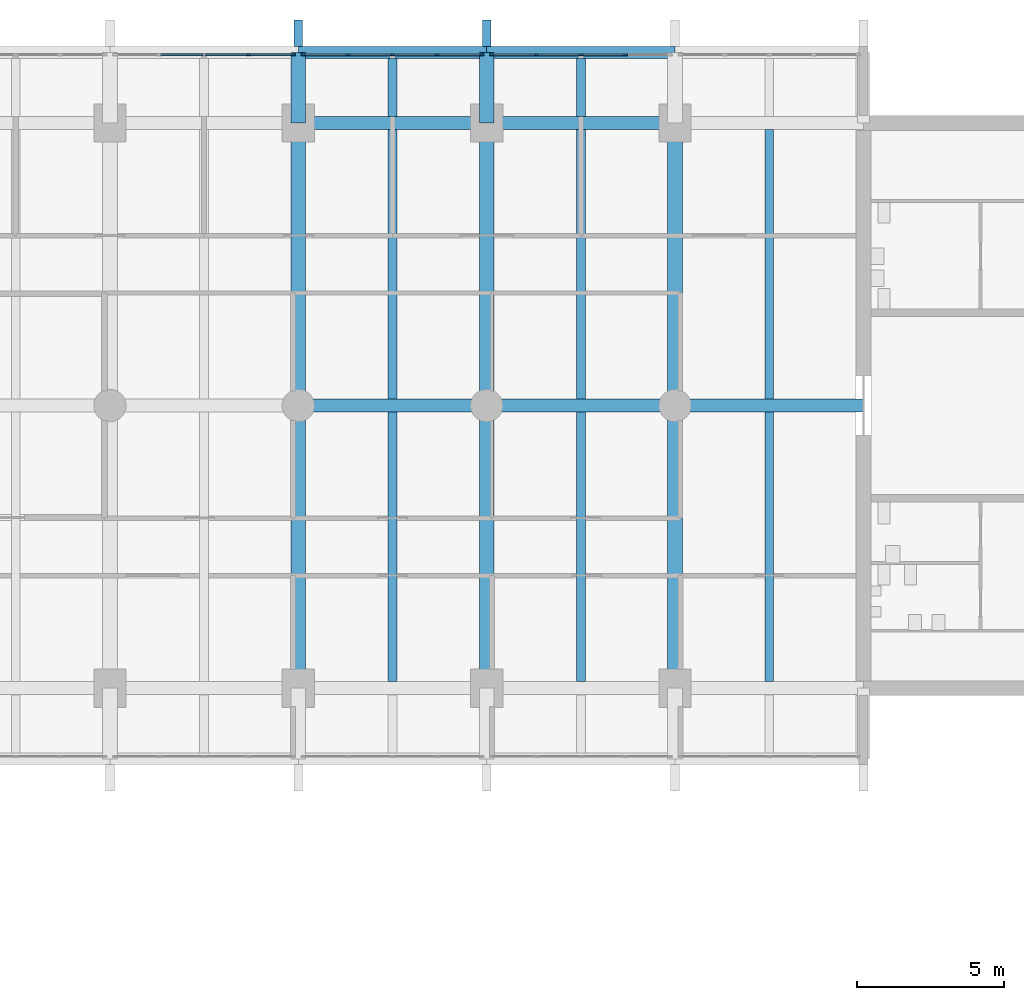
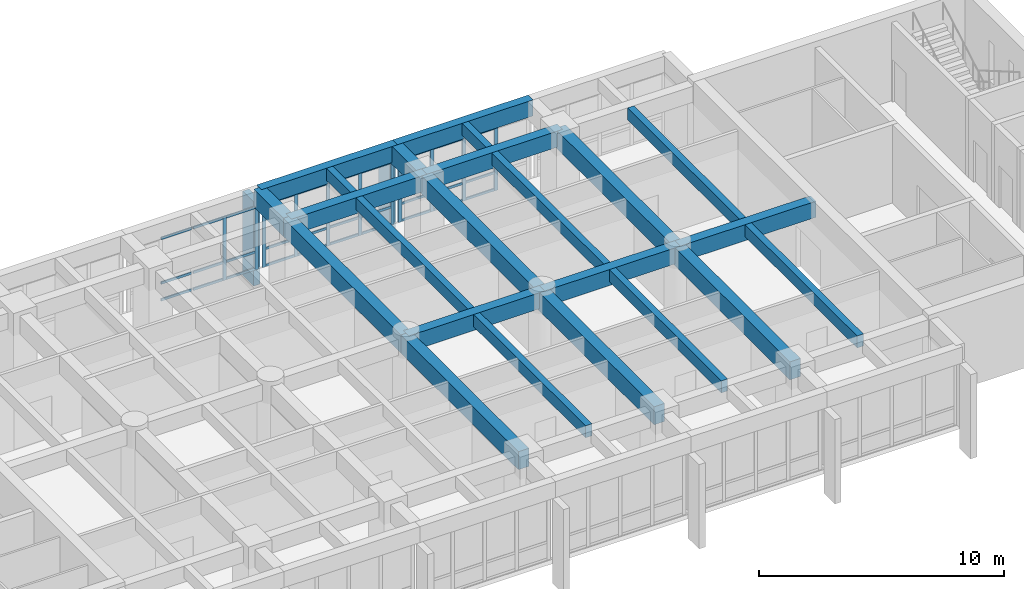
# One storey, part 5 of 18: 43 members, 23 beams, 3 elements without a shape of their own.
"""IFC4 building model written with IfcOpenShell, lengths in metres."""

import ifcopenshell
import ifcopenshell.guid

model = None  # the IFC model being written
_history = None  # IfcOwnerHistory: only IFC2X3 demands one
_inside = {}  # id of a spatial element -> (the spatial element, [elements in it])
_under = {}  # id of a project, library or spatial element -> (it, [spatial elements below it])
_declared = {}  # id of a project -> (the project, [libraries it declares])
_typed = {}  # id of a type object -> (the type object, [elements of that type])
_made_of = {}  # id of a material, layer set ... -> (it, [elements and type objects made of it])


def new_model(schema):
    """Start an empty IFC model of exactly this schema.

    Asked for "IFC4X3", IfcOpenShell would pick the latest addendum, in which some entities
    have other attributes; the version numbers below select the first issue.
    IFC2X3 requires an IfcOwnerHistory on every rooted entity: one is made here for all.
    """
    global model, _history
    if schema == "IFC4X3":
        model = ifcopenshell.file(schema_version=(4, 3, 0, 0))
    else:
        model = ifcopenshell.file(schema=schema)
    _inside.clear()
    _under.clear()
    _declared.clear()
    _typed.clear()
    _made_of.clear()
    _history = None
    if model.schema == "IFC2X3":
        org = make("IfcOrganization", Name="unknown")
        user = make(
            "IfcPersonAndOrganization",
            ThePerson=make("IfcPerson", FamilyName="unknown"),
            TheOrganization=org,
        )
        app = make(
            "IfcApplication",
            ApplicationDeveloper=org,
            Version="unknown",
            ApplicationFullName="unknown",
            ApplicationIdentifier="unknown",
        )
        _history = make(
            "IfcOwnerHistory",
            OwningUser=user,
            OwningApplication=app,
            ChangeAction="ADDED",
            CreationDate=0,
        )
    return model


def make(cls, **values):
    """One entity of the class cls with the attributes given. An attribute that is None is left unset."""
    return model.create_entity(
        cls, **{name: value for name, value in values.items() if value is not None}
    )


def rooted(cls, **values):
    """An entity with a GlobalId (a new one), such as an element, a storey or a relation."""
    return make(cls, GlobalId=ifcopenshell.guid.new(), OwnerHistory=_history, **values)


def si_unit(unit_type, name, prefix=None):
    """IfcSIUnit, for example si_unit("LENGTHUNIT", "METRE", prefix="MILLI")."""
    return make("IfcSIUnit", UnitType=unit_type, Prefix=prefix, Name=name)


def assignment(units):
    """IfcUnitAssignment: the units of a project."""
    return None if units is None else make("IfcUnitAssignment", Units=units)


def point(xyz):
    """IfcCartesianPoint."""
    return None if xyz is None else make("IfcCartesianPoint", Coordinates=xyz)


def direction(xyz):
    """IfcDirection."""
    return None if xyz is None else make("IfcDirection", DirectionRatios=xyz)


def frame(location, z_axis=None, x_axis=None):
    """IfcAxis2Placement3D, a coordinate frame: its origin and axes. An axis left out is left unset."""
    return make(
        "IfcAxis2Placement3D",
        Location=point(location),
        Axis=direction(z_axis),
        RefDirection=direction(x_axis),
    )


def frame_2d(location, x_axis=None):
    """IfcAxis2Placement2D, a coordinate frame in the plane: its origin and x axis."""
    return make(
        "IfcAxis2Placement2D", Location=point(location), RefDirection=direction(x_axis)
    )


def origin():
    """The frame at (0, 0, 0) with its axes left unset."""
    return frame((0.0, 0.0, 0.0))


def origin_2d():
    """The frame at (0, 0) in the plane with its x axis left unset."""
    return frame_2d((0.0, 0.0))


def place(relative_to, where):
    """IfcLocalPlacement: puts the frame where relative to a parent placement (None: the world)."""
    return make(
        "IfcLocalPlacement", PlacementRelTo=relative_to, RelativePlacement=where
    )


def context(
    kind, dimensions, precision=None, world=None, true_north=None, identifier=None
):
    """IfcGeometricRepresentationContext, for example the 3D "Model" context."""
    return make(
        "IfcGeometricRepresentationContext",
        ContextIdentifier=identifier,
        ContextType=kind,
        CoordinateSpaceDimension=dimensions,
        Precision=precision,
        WorldCoordinateSystem=world,
        TrueNorth=true_north,
    )


def subcontext(parent, identifier, kind, view, scale=None):
    """IfcGeometricRepresentationSubContext, for example "Body" below "Model"."""
    return make(
        "IfcGeometricRepresentationSubContext",
        ContextIdentifier=identifier,
        ContextType=kind,
        ParentContext=parent,
        TargetScale=scale,
        TargetView=view,
    )


def project(units=None, contexts=None):
    """IfcProject with its units and contexts."""
    return rooted(
        "IfcProject",
        Name="project",
        RepresentationContexts=contexts,
        UnitsInContext=assignment(units),
    )


def spatial(cls, under=None, at=None, **own):
    """A site, building, storey or space (cls), placed at a placement, below another one or the project."""
    s = rooted(cls, ObjectPlacement=at, **own)
    if under is not None:
        _under.setdefault(under.id(), (under, []))[1].append(s)
    return s


def profile(cls, at=None, kind="AREA", **sizes):
    """A parametric profile (cls). Its sizes go by their IFC names, for example OverallWidth=200.0."""
    return make(cls, ProfileType=kind, Position=at, **sizes)


def rectangle(**sizes):
    """IfcRectangleProfileDef."""
    return profile("IfcRectangleProfileDef", **sizes)


def extrude(swept, where, along, depth):
    """IfcExtrudedAreaSolid: the profile swept, set in the frame where, extruded along a direction by depth."""
    return make(
        "IfcExtrudedAreaSolid",
        SweptArea=swept,
        Position=where,
        ExtrudedDirection=direction(along),
        Depth=depth,
    )


def shape(context_of_items, identifier, shape_type, items):
    """IfcShapeRepresentation: the items that make up one representation, for example the "Body"."""
    return make(
        "IfcShapeRepresentation",
        ContextOfItems=context_of_items,
        RepresentationIdentifier=identifier,
        RepresentationType=shape_type,
        Items=items,
    )


def material(Name=None, Category=None):
    """IfcMaterial."""
    return make("IfcMaterial", Name=Name, Category=Category)


def layer(
    of_material, thickness, ventilated=None, Name=None, Category=None, Priority=None
):
    """IfcMaterialLayer: one layer of a wall or slab, of a material (None: an air gap)."""
    return make(
        "IfcMaterialLayer",
        Material=of_material,
        LayerThickness=thickness,
        IsVentilated=ventilated,
        Name=Name,
        Category=Category,
        Priority=Priority,
    )


def layer_set(layers, Name=None):
    """IfcMaterialLayerSet."""
    return make("IfcMaterialLayerSet", MaterialLayers=layers, LayerSetName=Name)


def material_profile(
    of_material, cross_section, Name=None, Category=None, Priority=None
):
    """IfcMaterialProfile: a cross section and its material."""
    return make(
        "IfcMaterialProfile",
        Name=Name,
        Material=of_material,
        Profile=cross_section,
        Priority=Priority,
        Category=Category,
    )


def profile_set(profiles, Name=None, composite=None):
    """IfcMaterialProfileSet."""
    return make(
        "IfcMaterialProfileSet",
        Name=Name,
        MaterialProfiles=profiles,
        CompositeProfile=composite,
    )


def made_of(thing, what):
    """Note that an element or type object is made of a material, layer set ...; save() writes the relation."""
    if what is not None:
        _made_of.setdefault(what.id(), (what, []))[1].append(thing)
    return thing


def type_object(cls, material=None, **own):
    """A type object (cls), such as IfcWallType, which elements share."""
    return made_of(rooted(cls, **own), material)


def element(
    cls,
    number,
    at=None,
    inside=None,
    cuts=None,
    type_object=None,
    material=None,
    context=None,
    identifier="Body",
    shape_type=None,
    held_by="IfcProductDefinitionShape",
    body=None,
    shapes=None,
    **own,
):
    """One element of the class cls, such as IfcWall. Its Tag is "e" and its number.

    at: its placement. inside: the storey or other place that contains it. cuts: it is an
    opening in that element (IfcRelVoidsElement). A single representation is given by context,
    identifier, shape_type and body (its items); several are given by shapes. held_by: the class
    of the entity that holds the representations. save() writes the other relations.
    """
    e = rooted(cls, Tag="e%d" % number, ObjectPlacement=at, **own)
    if body is not None:
        shapes = [shape(context, identifier, shape_type, body)]
    if shapes is not None:
        e.Representation = make(held_by, Representations=shapes)
    if inside is not None:
        _inside.setdefault(inside.id(), (inside, []))[1].append(e)
    if cuts is not None:
        rooted(
            "IfcRelVoidsElement", RelatingBuildingElement=cuts, RelatedOpeningElement=e
        )
    if type_object is not None:
        _typed.setdefault(type_object.id(), (type_object, []))[1].append(e)
    return made_of(e, material)


def aggregate(whole, parts):
    """IfcRelAggregates: a whole, such as a stair, and the parts it consists of."""
    return rooted("IfcRelAggregates", RelatingObject=whole, RelatedObjects=parts)


def save(model, path):
    """Write the relations noted so far, then the file.

    IfcRelAggregates (storeys below a building ...), IfcRelContainedInSpatialStructure (elements
    in a storey), IfcRelDefinesByType, IfcRelAssociatesMaterial and IfcRelDeclares: one each for
    every whole, place, type object, material and project.
    """
    for whole, parts in _under.values():
        aggregate(whole, parts)
    for where, things in _inside.values():
        rooted(
            "IfcRelContainedInSpatialStructure",
            RelatedElements=things,
            RelatingStructure=where,
        )
    for kind, things in _typed.values():
        rooted("IfcRelDefinesByType", RelatedObjects=things, RelatingType=kind)
    for what, things in _made_of.values():
        rooted("IfcRelAssociatesMaterial", RelatedObjects=things, RelatingMaterial=what)
    for by, libraries in _declared.values():
        rooted("IfcRelDeclares", RelatingContext=by, RelatedDefinitions=libraries)
    model.write(path)


model = new_model("IFC4")

# Units and contexts
model_context = context("Model", 3, precision=1e-05, world=origin(), true_north=direction((0.0, 1.0)))
body_context = subcontext(model_context, "Body", "Model", "MODEL_VIEW")
ifc_project = project(units=[si_unit("LENGTHUNIT", "METRE"), si_unit("AREAUNIT", "SQUARE_METRE"), si_unit("VOLUMEUNIT", "CUBIC_METRE"), si_unit("PLANEANGLEUNIT", "RADIAN"), si_unit("MASSUNIT", "GRAM", prefix="KILO")], contexts=[model_context])

# Site, building, storey
site_placement = place(None, origin())
site = spatial("IfcSite", under=ifc_project, at=site_placement, CompositionType="ELEMENT")
building_placement = place(site_placement, origin())
building = spatial("IfcBuilding", under=site, at=building_placement, Name="Fogon Plaza Fire Station and Headquarters Tower", CompositionType="ELEMENT")
storey_placement = place(building_placement, frame((0.0, 0.0, 12.89990234375)))
storey = spatial("IfcBuildingStorey", under=building, at=storey_placement, Name="L03", CompositionType="ELEMENT", Elevation=12.89990234375)

# Beams
ifc_material_1 = material(Name="Concrete C40", Category="concrete")
ifc_material_profile_1 = material_profile(ifc_material_1, rectangle(XDim=0.39990234375, YDim=0.800048828125, at=origin_2d()), Name="RC 400x800")
ifc_profile_set_1 = profile_set([ifc_material_profile_1], Name="Concrete C40")
beam_type_1 = type_object("IfcBeamType", Name="BEAM RC 400x800", PredefinedType="BEAM", material=ifc_profile_set_1)
beam_1_placement = place(storey_placement, frame((44.800048828125, 55.199951171875, 3.580078125), z_axis=(1.0, 0.0, 0.0), x_axis=(0.0, 1.0, 0.0)))
element("IfcBeam", 1, at=beam_1_placement, inside=storey, type_object=beam_type_1, Name="beam-L03-048", PredefinedType="BEAM", context=body_context, shape_type="SweptSolid", body=[
    extrude(rectangle(XDim=0.39990234375, YDim=0.800048828125, at=origin_2d()), origin(), (0.0, 0.0, 1.0), 6.39990234375),
])
beam_2_placement = place(storey_placement, frame((51.199951171875, 55.199951171875, 3.580078125), z_axis=(1.0, 0.0, 0.0), x_axis=(0.0, 1.0, 0.0)))
element("IfcBeam", 2, at=beam_2_placement, inside=storey, type_object=beam_type_1, Name="beam-L03-049", PredefinedType="BEAM", context=body_context, shape_type="SweptSolid", body=[
    extrude(rectangle(XDim=0.39990234375, YDim=0.800048828125, at=origin_2d()), origin(), (0.0, 0.0, 1.0), 6.400146484375),
])
ifc_material_2 = material(Name="Concrete C40", Category="concrete")
ifc_material_profile_2 = material_profile(ifc_material_2, rectangle(XDim=0.449951171875, YDim=0.800048828125, at=origin_2d()), Name="RC 450x800")
ifc_profile_set_2 = profile_set([ifc_material_profile_2], Name="Concrete C40")
beam_type_2 = type_object("IfcBeamType", Name="BEAM RC 450x800", PredefinedType="BEAM", material=ifc_profile_set_2)
beam_3_placement = place(storey_placement, frame((44.800048828125, 43.199951171875, 3.580078125), z_axis=(1.0, 0.0, 0.0), x_axis=(0.0, 1.0, 0.0)))
element("IfcBeam", 3, at=beam_3_placement, inside=storey, type_object=beam_type_2, Name="beam-L03-030", PredefinedType="BEAM", context=body_context, shape_type="SweptSolid", body=[
    extrude(rectangle(XDim=0.449951171875, YDim=0.800048828125, at=origin_2d()), origin(), (0.0, 0.0, 1.0), 6.39990234375),
])
beam_4_placement = place(storey_placement, frame((51.199951171875, 43.199951171875, 3.580078125), z_axis=(1.0, 0.0, 0.0), x_axis=(0.0, 1.0, 0.0)))
element("IfcBeam", 4, at=beam_4_placement, inside=storey, type_object=beam_type_2, Name="beam-L03-031", PredefinedType="BEAM", context=body_context, shape_type="SweptSolid", body=[
    extrude(rectangle(XDim=0.449951171875, YDim=0.800048828125, at=origin_2d()), origin(), (0.0, 0.0, 1.0), 6.400146484375),
])
for number, where, z_axis, x_axis, name in (
    (5, (57.60009765625, 43.199951171875, 3.580078125), (1.0, 0.0, 0.0), (0.0, 1.0, 0.0), "beam-L03-032"),
    (6, (44.800048828125, 52.800048828125, 3.580078125), (1.0, 0.0, 0.0), (0.0, 1.0, 0.0), "beam-L03-036"),
):
    element("IfcBeam", number, at=place(storey_placement, frame(where, z_axis=z_axis, x_axis=x_axis)), inside=storey, type_object=beam_type_2, Name=name, PredefinedType="BEAM", context=body_context, shape_type="SweptSolid", body=[
        extrude(rectangle(XDim=0.449951171875, YDim=0.800048828125, at=origin_2d()), origin(), (0.0, 0.0, 1.0), 6.39990234375),
    ])
beam_5_placement = place(storey_placement, frame((51.199951171875, 52.800048828125, 3.580078125), z_axis=(1.0, 0.0, 0.0), x_axis=(0.0, 1.0, 0.0)))
element("IfcBeam", 7, at=beam_5_placement, inside=storey, type_object=beam_type_2, Name="beam-L03-037", PredefinedType="BEAM", context=body_context, shape_type="SweptSolid", body=[
    extrude(rectangle(XDim=0.449951171875, YDim=0.800048828125, at=origin_2d()), origin(), (0.0, 0.0, 1.0), 6.400146484375),
])
ifc_material_3 = material(Name="Concrete C40", Category="concrete")
ifc_material_profile_3 = material_profile(ifc_material_3, rectangle(XDim=0.5, YDim=0.89990234375, at=origin_2d()), Name="RC 500x900")
ifc_profile_set_3 = profile_set([ifc_material_profile_3], Name="Concrete C40")
beam_type_3 = type_object("IfcBeamType", Name="BEAM RC 500x900 SPAN 0.0 TO 3.0 M", PredefinedType="BEAM", material=ifc_profile_set_3)
for number, where, z_axis, x_axis, name in (
    (8, (44.800048828125, 52.800048828125, 3.530029296875), (0.0, 1.0, 0.0), (-1.0, 0.0, 0.0), "beam-L03-012"),
    (9, (51.199951171875, 52.800048828125, 3.530029296875), (0.0, 1.0, 0.0), (-1.0, 0.0, 0.0), "beam-L03-016"),
):
    element("IfcBeam", number, at=place(storey_placement, frame(where, z_axis=z_axis, x_axis=x_axis)), inside=storey, type_object=beam_type_3, Name=name, PredefinedType="BEAM", context=body_context, shape_type="SweptSolid", body=[
        extrude(rectangle(XDim=0.5, YDim=0.89990234375, at=origin_2d()), origin(), (0.0, 0.0, 1.0), 2.39990234375),
    ])
ifc_material_4 = material(Name="Concrete C40", Category="concrete")
ifc_material_profile_4 = material_profile(ifc_material_4, rectangle(XDim=0.5, YDim=0.89990234375, at=origin_2d()), Name="RC 500x900")
ifc_profile_set_4 = profile_set([ifc_material_profile_4], Name="Concrete C40")
beam_type_4 = type_object("IfcBeamType", Name="BEAM RC 500x900 SPAN 7.7 TO 12.3 M", PredefinedType="BEAM", material=ifc_profile_set_4)
beam_6_placement = place(storey_placement, frame((44.800048828125, 33.60009765625, 3.530029296875), z_axis=(0.0, 1.0, 0.0), x_axis=(-1.0, 0.0, 0.0)))
element("IfcBeam", 10, at=beam_6_placement, inside=storey, type_object=beam_type_4, Name="beam-L03-010", PredefinedType="BEAM", context=body_context, shape_type="SweptSolid", body=[
    extrude(rectangle(XDim=0.5, YDim=0.89990234375, at=origin_2d()), origin(), (0.0, 0.0, 1.0), 9.599853515625),
])
beam_7_placement = place(storey_placement, frame((44.800048828125, 43.199951171875, 3.530029296875), z_axis=(0.0, 1.0, 0.0), x_axis=(-1.0, 0.0, 0.0)))
element("IfcBeam", 11, at=beam_7_placement, inside=storey, type_object=beam_type_4, Name="beam-L03-011", PredefinedType="BEAM", context=body_context, shape_type="SweptSolid", body=[
    extrude(rectangle(XDim=0.5, YDim=0.89990234375, at=origin_2d()), origin(), (0.0, 0.0, 1.0), 9.60009765625),
])
beam_8_placement = place(storey_placement, frame((51.199951171875, 33.60009765625, 3.530029296875), z_axis=(0.0, 1.0, 0.0), x_axis=(-1.0, 0.0, 0.0)))
element("IfcBeam", 12, at=beam_8_placement, inside=storey, type_object=beam_type_4, Name="beam-L03-014", PredefinedType="BEAM", context=body_context, shape_type="SweptSolid", body=[
    extrude(rectangle(XDim=0.5, YDim=0.89990234375, at=origin_2d()), origin(), (0.0, 0.0, 1.0), 9.599853515625),
])
beam_9_placement = place(storey_placement, frame((51.199951171875, 43.199951171875, 3.530029296875), z_axis=(0.0, 1.0, 0.0), x_axis=(-1.0, 0.0, 0.0)))
element("IfcBeam", 13, at=beam_9_placement, inside=storey, type_object=beam_type_4, Name="beam-L03-015", PredefinedType="BEAM", context=body_context, shape_type="SweptSolid", body=[
    extrude(rectangle(XDim=0.5, YDim=0.89990234375, at=origin_2d()), origin(), (0.0, 0.0, 1.0), 9.60009765625),
])
beam_10_placement = place(storey_placement, frame((57.60009765625, 33.60009765625, 3.530029296875), z_axis=(0.0, 1.0, 0.0), x_axis=(-1.0, 0.0, 0.0)))
element("IfcBeam", 14, at=beam_10_placement, inside=storey, type_object=beam_type_4, Name="beam-L03-018", PredefinedType="BEAM", context=body_context, shape_type="SweptSolid", body=[
    extrude(rectangle(XDim=0.5, YDim=0.89990234375, at=origin_2d()), origin(), (0.0, 0.0, 1.0), 9.599853515625),
])
beam_11_placement = place(storey_placement, frame((57.60009765625, 43.199951171875, 3.530029296875), z_axis=(0.0, 1.0, 0.0), x_axis=(-1.0, 0.0, 0.0)))
element("IfcBeam", 15, at=beam_11_placement, inside=storey, type_object=beam_type_4, Name="beam-L03-019", PredefinedType="BEAM", context=body_context, shape_type="SweptSolid", body=[
    extrude(rectangle(XDim=0.5, YDim=0.89990234375, at=origin_2d()), origin(), (0.0, 0.0, 1.0), 9.60009765625),
])

# Curtain wall, members
ifc_material_5 = material(Name="Aluminium and glass", Category="aluminium")
ifc_layer = layer(ifc_material_5, 0.14990234375)
ifc_layer_set = layer_set([ifc_layer], Name="Aluminium and glass")
curtain_wall_type = type_object("IfcCurtainWallType", Name="Unitised Curtain Wall Run 6100x3180", PredefinedType="NOTDEFINED", material=ifc_layer_set)
curtain_wall_1_placement = place(storey_placement, origin())
curtain_wall_1 = element("IfcCurtainWall", 16, at=curtain_wall_1_placement, inside=storey, type_object=curtain_wall_type, Name="CW-6100x3180 N3 L03", PredefinedType="NOTDEFINED")
ifc_material_6 = material(Name="Aluminium", Category="aluminium")
ifc_material_profile_5 = material_profile(ifc_material_6, rectangle(XDim=0.06005859375, YDim=0.159912109375, at=origin_2d()), Name="Curtain Wall Mullion 60x160")
ifc_profile_set_5 = profile_set([ifc_material_profile_5], Name="Aluminium")
member_type_1 = type_object("IfcMemberType", Name="Curtain Wall Mullion 60x160", PredefinedType="MULLION", material=ifc_profile_set_5)
member_1_placement = place(storey_placement, frame((43.110107421875, 55.1201171875, 0.0), z_axis=(0.0, 0.0, 1.0), x_axis=(0.0, 1.0, 0.0)))
member_1 = element("IfcMember", 17, at=member_1_placement, type_object=member_type_1, Name="CW-6100x3180 mullion 4", PredefinedType="MULLION", context=body_context, shape_type="SweptSolid", body=[
    extrude(rectangle(XDim=0.06005859375, YDim=0.159912109375, at=origin_2d()), origin(), (0.0, 0.0, 1.0), 3.18017578125),
])
member_2_placement = place(storey_placement, frame((44.6201171875, 55.1201171875, 0.0), z_axis=(0.0, 0.0, 1.0), x_axis=(0.0, 1.0, 0.0)))
member_2 = element("IfcMember", 18, at=member_2_placement, type_object=member_type_1, Name="CW-6100x3180 mullion 5", PredefinedType="MULLION", context=body_context, shape_type="SweptSolid", body=[
    extrude(rectangle(XDim=0.06005859375, YDim=0.159912109375, at=origin_2d()), origin(), (0.0, 0.0, 1.0), 3.18017578125),
])

curtain_wall_2_placement = place(storey_placement, origin())
curtain_wall_2 = element("IfcCurtainWall", 19, at=curtain_wall_2_placement, inside=storey, type_object=curtain_wall_type, Name="CW-6100x3180 N4 L03", PredefinedType="NOTDEFINED")
member_3_placement = place(storey_placement, frame((44.97998046875, 55.1201171875, 0.0), z_axis=(0.0, 0.0, 1.0), x_axis=(0.0, 1.0, 0.0)))
member_3 = element("IfcMember", 20, at=member_3_placement, type_object=member_type_1, Name="CW-6100x3180 mullion 1", PredefinedType="MULLION", context=body_context, shape_type="SweptSolid", body=[
    extrude(rectangle(XDim=0.06005859375, YDim=0.159912109375, at=origin_2d()), origin(), (0.0, 0.0, 1.0), 3.18017578125),
])
member_4_placement = place(storey_placement, frame((46.489990234375, 55.1201171875, 0.0), z_axis=(0.0, 0.0, 1.0), x_axis=(0.0, 1.0, 0.0)))
member_4 = element("IfcMember", 21, at=member_4_placement, type_object=member_type_1, Name="CW-6100x3180 mullion 2", PredefinedType="MULLION", context=body_context, shape_type="SweptSolid", body=[
    extrude(rectangle(XDim=0.06005859375, YDim=0.159912109375, at=origin_2d()), origin(), (0.0, 0.0, 1.0), 3.18017578125),
])
member_5_placement = place(storey_placement, frame((48.0, 55.1201171875, 0.0), z_axis=(0.0, 0.0, 1.0), x_axis=(0.0, 1.0, 0.0)))
member_5 = element("IfcMember", 22, at=member_5_placement, type_object=member_type_1, Name="CW-6100x3180 mullion 3", PredefinedType="MULLION", context=body_context, shape_type="SweptSolid", body=[
    extrude(rectangle(XDim=0.06005859375, YDim=0.159912109375, at=origin_2d()), origin(), (0.0, 0.0, 1.0), 3.18017578125),
])
member_6_placement = place(storey_placement, frame((49.510009765625, 55.1201171875, 0.0), z_axis=(0.0, 0.0, 1.0), x_axis=(0.0, 1.0, 0.0)))
member_6 = element("IfcMember", 23, at=member_6_placement, type_object=member_type_1, Name="CW-6100x3180 mullion 4", PredefinedType="MULLION", context=body_context, shape_type="SweptSolid", body=[
    extrude(rectangle(XDim=0.06005859375, YDim=0.159912109375, at=origin_2d()), origin(), (0.0, 0.0, 1.0), 3.18017578125),
])
member_7_placement = place(storey_placement, frame((51.02001953125, 55.1201171875, 0.0), z_axis=(0.0, 0.0, 1.0), x_axis=(0.0, 1.0, 0.0)))
member_7 = element("IfcMember", 24, at=member_7_placement, type_object=member_type_1, Name="CW-6100x3180 mullion 5", PredefinedType="MULLION", context=body_context, shape_type="SweptSolid", body=[
    extrude(rectangle(XDim=0.06005859375, YDim=0.159912109375, at=origin_2d()), origin(), (0.0, 0.0, 1.0), 3.18017578125),
])

curtain_wall_3_placement = place(storey_placement, origin())
curtain_wall_3 = element("IfcCurtainWall", 25, at=curtain_wall_3_placement, inside=storey, type_object=curtain_wall_type, Name="CW-6100x3180 N5 L03", PredefinedType="NOTDEFINED")
member_8_placement = place(storey_placement, frame((51.3798828125, 55.1201171875, 0.0), z_axis=(0.0, 0.0, 1.0), x_axis=(0.0, 1.0, 0.0)))
member_8 = element("IfcMember", 26, at=member_8_placement, type_object=member_type_1, Name="CW-6100x3180 mullion 1", PredefinedType="MULLION", context=body_context, shape_type="SweptSolid", body=[
    extrude(rectangle(XDim=0.06005859375, YDim=0.159912109375, at=origin_2d()), origin(), (0.0, 0.0, 1.0), 3.18017578125),
])
member_9_placement = place(storey_placement, frame((52.889892578125, 55.1201171875, 0.0), z_axis=(0.0, 0.0, 1.0), x_axis=(0.0, 1.0, 0.0)))
member_9 = element("IfcMember", 27, at=member_9_placement, type_object=member_type_1, Name="CW-6100x3180 mullion 2", PredefinedType="MULLION", context=body_context, shape_type="SweptSolid", body=[
    extrude(rectangle(XDim=0.06005859375, YDim=0.159912109375, at=origin_2d()), origin(), (0.0, 0.0, 1.0), 3.18017578125),
])
member_10_placement = place(storey_placement, frame((54.39990234375, 55.1201171875, 0.0), z_axis=(0.0, 0.0, 1.0), x_axis=(0.0, 1.0, 0.0)))
member_10 = element("IfcMember", 28, at=member_10_placement, type_object=member_type_1, Name="CW-6100x3180 mullion 3", PredefinedType="MULLION", context=body_context, shape_type="SweptSolid", body=[
    extrude(rectangle(XDim=0.06005859375, YDim=0.159912109375, at=origin_2d()), origin(), (0.0, 0.0, 1.0), 3.18017578125),
])
member_11_placement = place(storey_placement, frame((55.909912109375, 55.1201171875, 0.0), z_axis=(0.0, 0.0, 1.0), x_axis=(0.0, 1.0, 0.0)))
member_11 = element("IfcMember", 29, at=member_11_placement, type_object=member_type_1, Name="CW-6100x3180 mullion 4", PredefinedType="MULLION", context=body_context, shape_type="SweptSolid", body=[
    extrude(rectangle(XDim=0.06005859375, YDim=0.159912109375, at=origin_2d()), origin(), (0.0, 0.0, 1.0), 3.18017578125),
])

# Member
ifc_material_7 = material(Name="Aluminium", Category="aluminium")
ifc_material_profile_6 = material_profile(ifc_material_7, rectangle(XDim=0.06005859375, YDim=0.1201171875, at=origin_2d()), Name="Curtain Wall Transom 60x120")
ifc_profile_set_6 = profile_set([ifc_material_profile_6], Name="Aluminium")
member_type_2 = type_object("IfcMemberType", Name="Curtain Wall Transom 60x120", PredefinedType="USERDEFINED", material=ifc_profile_set_6)
member_12_placement = place(storey_placement, frame((40.1201171875, 55.1201171875, 0.06005859375), z_axis=(1.0, 0.0, 0.0), x_axis=(0.0, 1.0, 0.0)))
member_12 = element("IfcMember", 30, at=member_12_placement, type_object=member_type_2, Name="CW-6100x3180 transom 2.1", ObjectType="TRANSOM", PredefinedType="USERDEFINED", context=body_context, shape_type="SweptSolid", body=[
    extrude(rectangle(XDim=0.06005859375, YDim=0.1201171875, at=origin_2d()), origin(), (0.0, 0.0, 1.0), 1.449951171875),
])

member_13_placement = place(storey_placement, frame((40.1201171875, 55.1201171875, 0.900146484375), z_axis=(1.0, 0.0, 0.0), x_axis=(0.0, 1.0, 0.0)))
member_13 = element("IfcMember", 31, at=member_13_placement, type_object=member_type_2, Name="CW-6100x3180 transom 2.2", ObjectType="TRANSOM", PredefinedType="USERDEFINED", context=body_context, shape_type="SweptSolid", body=[
    extrude(rectangle(XDim=0.06005859375, YDim=0.1201171875, at=origin_2d()), origin(), (0.0, 0.0, 1.0), 1.449951171875),
])

member_14_placement = place(storey_placement, frame((40.1201171875, 55.1201171875, 3.1201171875), z_axis=(1.0, 0.0, 0.0), x_axis=(0.0, 1.0, 0.0)))
member_14 = element("IfcMember", 32, at=member_14_placement, type_object=member_type_2, Name="CW-6100x3180 transom 2.3", ObjectType="TRANSOM", PredefinedType="USERDEFINED", context=body_context, shape_type="SweptSolid", body=[
    extrude(rectangle(XDim=0.06005859375, YDim=0.1201171875, at=origin_2d()), origin(), (0.0, 0.0, 1.0), 1.449951171875),
])

member_15_placement = place(storey_placement, frame((41.6298828125, 55.1201171875, 0.06005859375), z_axis=(1.0, 0.0, 0.0), x_axis=(0.0, 1.0, 0.0)))
member_15 = element("IfcMember", 33, at=member_15_placement, type_object=member_type_2, Name="CW-6100x3180 transom 3.1", ObjectType="TRANSOM", PredefinedType="USERDEFINED", context=body_context, shape_type="SweptSolid", body=[
    extrude(rectangle(XDim=0.06005859375, YDim=0.1201171875, at=origin_2d()), origin(), (0.0, 0.0, 1.0), 1.4501953125),
])

member_16_placement = place(storey_placement, frame((41.6298828125, 55.1201171875, 0.900146484375), z_axis=(1.0, 0.0, 0.0), x_axis=(0.0, 1.0, 0.0)))
member_16 = element("IfcMember", 34, at=member_16_placement, type_object=member_type_2, Name="CW-6100x3180 transom 3.2", ObjectType="TRANSOM", PredefinedType="USERDEFINED", context=body_context, shape_type="SweptSolid", body=[
    extrude(rectangle(XDim=0.06005859375, YDim=0.1201171875, at=origin_2d()), origin(), (0.0, 0.0, 1.0), 1.4501953125),
])

member_17_placement = place(storey_placement, frame((41.6298828125, 55.1201171875, 3.1201171875), z_axis=(1.0, 0.0, 0.0), x_axis=(0.0, 1.0, 0.0)))
member_17 = element("IfcMember", 35, at=member_17_placement, type_object=member_type_2, Name="CW-6100x3180 transom 3.3", ObjectType="TRANSOM", PredefinedType="USERDEFINED", context=body_context, shape_type="SweptSolid", body=[
    extrude(rectangle(XDim=0.06005859375, YDim=0.1201171875, at=origin_2d()), origin(), (0.0, 0.0, 1.0), 1.4501953125),
])

member_18_placement = place(storey_placement, frame((43.139892578125, 55.1201171875, 0.06005859375), z_axis=(1.0, 0.0, 0.0), x_axis=(0.0, 1.0, 0.0)))
member_18 = element("IfcMember", 36, at=member_18_placement, type_object=member_type_2, Name="CW-6100x3180 transom 4.1", ObjectType="TRANSOM", PredefinedType="USERDEFINED", context=body_context, shape_type="SweptSolid", body=[
    extrude(rectangle(XDim=0.06005859375, YDim=0.1201171875, at=origin_2d()), origin(), (0.0, 0.0, 1.0), 1.4501953125),
])

member_19_placement = place(storey_placement, frame((43.139892578125, 55.1201171875, 0.900146484375), z_axis=(1.0, 0.0, 0.0), x_axis=(0.0, 1.0, 0.0)))
member_19 = element("IfcMember", 37, at=member_19_placement, type_object=member_type_2, Name="CW-6100x3180 transom 4.2", ObjectType="TRANSOM", PredefinedType="USERDEFINED", context=body_context, shape_type="SweptSolid", body=[
    extrude(rectangle(XDim=0.06005859375, YDim=0.1201171875, at=origin_2d()), origin(), (0.0, 0.0, 1.0), 1.4501953125),
])

member_20_placement = place(storey_placement, frame((43.139892578125, 55.1201171875, 3.1201171875), z_axis=(1.0, 0.0, 0.0), x_axis=(0.0, 1.0, 0.0)))
member_20 = element("IfcMember", 38, at=member_20_placement, type_object=member_type_2, Name="CW-6100x3180 transom 4.3", ObjectType="TRANSOM", PredefinedType="USERDEFINED", context=body_context, shape_type="SweptSolid", body=[
    extrude(rectangle(XDim=0.06005859375, YDim=0.1201171875, at=origin_2d()), origin(), (0.0, 0.0, 1.0), 1.4501953125),
])

aggregate(curtain_wall_1, [member_1, member_2, member_12, member_13, member_14, member_15, member_16, member_17, member_18, member_19, member_20])

member_21_placement = place(storey_placement, frame((45.010009765625, 55.1201171875, 0.06005859375), z_axis=(1.0, 0.0, 0.0), x_axis=(0.0, 1.0, 0.0)))
member_21 = element("IfcMember", 39, at=member_21_placement, type_object=member_type_2, Name="CW-6100x3180 transom 1.1", ObjectType="TRANSOM", PredefinedType="USERDEFINED", context=body_context, shape_type="SweptSolid", body=[
    extrude(rectangle(XDim=0.06005859375, YDim=0.1201171875, at=origin_2d()), origin(), (0.0, 0.0, 1.0), 1.449951171875),
])

member_22_placement = place(storey_placement, frame((45.010009765625, 55.1201171875, 0.900146484375), z_axis=(1.0, 0.0, 0.0), x_axis=(0.0, 1.0, 0.0)))
member_22 = element("IfcMember", 40, at=member_22_placement, type_object=member_type_2, Name="CW-6100x3180 transom 1.2", ObjectType="TRANSOM", PredefinedType="USERDEFINED", context=body_context, shape_type="SweptSolid", body=[
    extrude(rectangle(XDim=0.06005859375, YDim=0.1201171875, at=origin_2d()), origin(), (0.0, 0.0, 1.0), 1.449951171875),
])

member_23_placement = place(storey_placement, frame((45.010009765625, 55.1201171875, 3.1201171875), z_axis=(1.0, 0.0, 0.0), x_axis=(0.0, 1.0, 0.0)))
member_23 = element("IfcMember", 41, at=member_23_placement, type_object=member_type_2, Name="CW-6100x3180 transom 1.3", ObjectType="TRANSOM", PredefinedType="USERDEFINED", context=body_context, shape_type="SweptSolid", body=[
    extrude(rectangle(XDim=0.06005859375, YDim=0.1201171875, at=origin_2d()), origin(), (0.0, 0.0, 1.0), 1.449951171875),
])

member_24_placement = place(storey_placement, frame((46.52001953125, 55.1201171875, 0.06005859375), z_axis=(1.0, 0.0, 0.0), x_axis=(0.0, 1.0, 0.0)))
member_24 = element("IfcMember", 42, at=member_24_placement, type_object=member_type_2, Name="CW-6100x3180 transom 2.1", ObjectType="TRANSOM", PredefinedType="USERDEFINED", context=body_context, shape_type="SweptSolid", body=[
    extrude(rectangle(XDim=0.06005859375, YDim=0.1201171875, at=origin_2d()), origin(), (0.0, 0.0, 1.0), 1.449951171875),
])

member_25_placement = place(storey_placement, frame((46.52001953125, 55.1201171875, 0.900146484375), z_axis=(1.0, 0.0, 0.0), x_axis=(0.0, 1.0, 0.0)))
member_25 = element("IfcMember", 43, at=member_25_placement, type_object=member_type_2, Name="CW-6100x3180 transom 2.2", ObjectType="TRANSOM", PredefinedType="USERDEFINED", context=body_context, shape_type="SweptSolid", body=[
    extrude(rectangle(XDim=0.06005859375, YDim=0.1201171875, at=origin_2d()), origin(), (0.0, 0.0, 1.0), 1.449951171875),
])

member_26_placement = place(storey_placement, frame((46.52001953125, 55.1201171875, 3.1201171875), z_axis=(1.0, 0.0, 0.0), x_axis=(0.0, 1.0, 0.0)))
member_26 = element("IfcMember", 44, at=member_26_placement, type_object=member_type_2, Name="CW-6100x3180 transom 2.3", ObjectType="TRANSOM", PredefinedType="USERDEFINED", context=body_context, shape_type="SweptSolid", body=[
    extrude(rectangle(XDim=0.06005859375, YDim=0.1201171875, at=origin_2d()), origin(), (0.0, 0.0, 1.0), 1.449951171875),
])

member_27_placement = place(storey_placement, frame((48.030029296875, 55.1201171875, 0.06005859375), z_axis=(1.0, 0.0, 0.0), x_axis=(0.0, 1.0, 0.0)))
member_27 = element("IfcMember", 45, at=member_27_placement, type_object=member_type_2, Name="CW-6100x3180 transom 3.1", ObjectType="TRANSOM", PredefinedType="USERDEFINED", context=body_context, shape_type="SweptSolid", body=[
    extrude(rectangle(XDim=0.06005859375, YDim=0.1201171875, at=origin_2d()), origin(), (0.0, 0.0, 1.0), 1.449951171875),
])

member_28_placement = place(storey_placement, frame((48.030029296875, 55.1201171875, 0.900146484375), z_axis=(1.0, 0.0, 0.0), x_axis=(0.0, 1.0, 0.0)))
member_28 = element("IfcMember", 46, at=member_28_placement, type_object=member_type_2, Name="CW-6100x3180 transom 3.2", ObjectType="TRANSOM", PredefinedType="USERDEFINED", context=body_context, shape_type="SweptSolid", body=[
    extrude(rectangle(XDim=0.06005859375, YDim=0.1201171875, at=origin_2d()), origin(), (0.0, 0.0, 1.0), 1.449951171875),
])

member_29_placement = place(storey_placement, frame((48.030029296875, 55.1201171875, 3.1201171875), z_axis=(1.0, 0.0, 0.0), x_axis=(0.0, 1.0, 0.0)))
member_29 = element("IfcMember", 47, at=member_29_placement, type_object=member_type_2, Name="CW-6100x3180 transom 3.3", ObjectType="TRANSOM", PredefinedType="USERDEFINED", context=body_context, shape_type="SweptSolid", body=[
    extrude(rectangle(XDim=0.06005859375, YDim=0.1201171875, at=origin_2d()), origin(), (0.0, 0.0, 1.0), 1.449951171875),
])

member_30_placement = place(storey_placement, frame((49.5400390625, 55.1201171875, 0.06005859375), z_axis=(1.0, 0.0, 0.0), x_axis=(0.0, 1.0, 0.0)))
member_30 = element("IfcMember", 48, at=member_30_placement, type_object=member_type_2, Name="CW-6100x3180 transom 4.1", ObjectType="TRANSOM", PredefinedType="USERDEFINED", context=body_context, shape_type="SweptSolid", body=[
    extrude(rectangle(XDim=0.06005859375, YDim=0.1201171875, at=origin_2d()), origin(), (0.0, 0.0, 1.0), 1.449951171875),
])

member_31_placement = place(storey_placement, frame((49.5400390625, 55.1201171875, 0.900146484375), z_axis=(1.0, 0.0, 0.0), x_axis=(0.0, 1.0, 0.0)))
member_31 = element("IfcMember", 49, at=member_31_placement, type_object=member_type_2, Name="CW-6100x3180 transom 4.2", ObjectType="TRANSOM", PredefinedType="USERDEFINED", context=body_context, shape_type="SweptSolid", body=[
    extrude(rectangle(XDim=0.06005859375, YDim=0.1201171875, at=origin_2d()), origin(), (0.0, 0.0, 1.0), 1.449951171875),
])

member_32_placement = place(storey_placement, frame((49.5400390625, 55.1201171875, 3.1201171875), z_axis=(1.0, 0.0, 0.0), x_axis=(0.0, 1.0, 0.0)))
member_32 = element("IfcMember", 50, at=member_32_placement, type_object=member_type_2, Name="CW-6100x3180 transom 4.3", ObjectType="TRANSOM", PredefinedType="USERDEFINED", context=body_context, shape_type="SweptSolid", body=[
    extrude(rectangle(XDim=0.06005859375, YDim=0.1201171875, at=origin_2d()), origin(), (0.0, 0.0, 1.0), 1.449951171875),
])

aggregate(curtain_wall_2, [member_3, member_4, member_5, member_6, member_7, member_21, member_22, member_23, member_24, member_25, member_26, member_27, member_28, member_29, member_30, member_31, member_32])

member_33_placement = place(storey_placement, frame((51.409912109375, 55.1201171875, 0.06005859375), z_axis=(1.0, 0.0, 0.0), x_axis=(0.0, 1.0, 0.0)))
member_33 = element("IfcMember", 51, at=member_33_placement, type_object=member_type_2, Name="CW-6100x3180 transom 1.1", ObjectType="TRANSOM", PredefinedType="USERDEFINED", context=body_context, shape_type="SweptSolid", body=[
    extrude(rectangle(XDim=0.06005859375, YDim=0.1201171875, at=origin_2d()), origin(), (0.0, 0.0, 1.0), 1.4501953125),
])

member_34_placement = place(storey_placement, frame((51.409912109375, 55.1201171875, 0.900146484375), z_axis=(1.0, 0.0, 0.0), x_axis=(0.0, 1.0, 0.0)))
member_34 = element("IfcMember", 52, at=member_34_placement, type_object=member_type_2, Name="CW-6100x3180 transom 1.2", ObjectType="TRANSOM", PredefinedType="USERDEFINED", context=body_context, shape_type="SweptSolid", body=[
    extrude(rectangle(XDim=0.06005859375, YDim=0.1201171875, at=origin_2d()), origin(), (0.0, 0.0, 1.0), 1.4501953125),
])

member_35_placement = place(storey_placement, frame((51.409912109375, 55.1201171875, 3.1201171875), z_axis=(1.0, 0.0, 0.0), x_axis=(0.0, 1.0, 0.0)))
member_35 = element("IfcMember", 53, at=member_35_placement, type_object=member_type_2, Name="CW-6100x3180 transom 1.3", ObjectType="TRANSOM", PredefinedType="USERDEFINED", context=body_context, shape_type="SweptSolid", body=[
    extrude(rectangle(XDim=0.06005859375, YDim=0.1201171875, at=origin_2d()), origin(), (0.0, 0.0, 1.0), 1.4501953125),
])

member_36_placement = place(storey_placement, frame((52.919921875, 55.1201171875, 0.06005859375), z_axis=(1.0, 0.0, 0.0), x_axis=(0.0, 1.0, 0.0)))
member_36 = element("IfcMember", 54, at=member_36_placement, type_object=member_type_2, Name="CW-6100x3180 transom 2.1", ObjectType="TRANSOM", PredefinedType="USERDEFINED", context=body_context, shape_type="SweptSolid", body=[
    extrude(rectangle(XDim=0.06005859375, YDim=0.1201171875, at=origin_2d()), origin(), (0.0, 0.0, 1.0), 1.4501953125),
])

member_37_placement = place(storey_placement, frame((52.919921875, 55.1201171875, 0.900146484375), z_axis=(1.0, 0.0, 0.0), x_axis=(0.0, 1.0, 0.0)))
member_37 = element("IfcMember", 55, at=member_37_placement, type_object=member_type_2, Name="CW-6100x3180 transom 2.2", ObjectType="TRANSOM", PredefinedType="USERDEFINED", context=body_context, shape_type="SweptSolid", body=[
    extrude(rectangle(XDim=0.06005859375, YDim=0.1201171875, at=origin_2d()), origin(), (0.0, 0.0, 1.0), 1.4501953125),
])

member_38_placement = place(storey_placement, frame((52.919921875, 55.1201171875, 3.1201171875), z_axis=(1.0, 0.0, 0.0), x_axis=(0.0, 1.0, 0.0)))
member_38 = element("IfcMember", 56, at=member_38_placement, type_object=member_type_2, Name="CW-6100x3180 transom 2.3", ObjectType="TRANSOM", PredefinedType="USERDEFINED", context=body_context, shape_type="SweptSolid", body=[
    extrude(rectangle(XDim=0.06005859375, YDim=0.1201171875, at=origin_2d()), origin(), (0.0, 0.0, 1.0), 1.4501953125),
])

member_39_placement = place(storey_placement, frame((54.429931640625, 55.1201171875, 0.06005859375), z_axis=(1.0, 0.0, 0.0), x_axis=(0.0, 1.0, 0.0)))
member_39 = element("IfcMember", 57, at=member_39_placement, type_object=member_type_2, Name="CW-6100x3180 transom 3.1", ObjectType="TRANSOM", PredefinedType="USERDEFINED", context=body_context, shape_type="SweptSolid", body=[
    extrude(rectangle(XDim=0.06005859375, YDim=0.1201171875, at=origin_2d()), origin(), (0.0, 0.0, 1.0), 1.449951171875),
])

member_40_placement = place(storey_placement, frame((54.429931640625, 55.1201171875, 0.900146484375), z_axis=(1.0, 0.0, 0.0), x_axis=(0.0, 1.0, 0.0)))
member_40 = element("IfcMember", 58, at=member_40_placement, type_object=member_type_2, Name="CW-6100x3180 transom 3.2", ObjectType="TRANSOM", PredefinedType="USERDEFINED", context=body_context, shape_type="SweptSolid", body=[
    extrude(rectangle(XDim=0.06005859375, YDim=0.1201171875, at=origin_2d()), origin(), (0.0, 0.0, 1.0), 1.449951171875),
])

member_41_placement = place(storey_placement, frame((54.429931640625, 55.1201171875, 3.1201171875), z_axis=(1.0, 0.0, 0.0), x_axis=(0.0, 1.0, 0.0)))
member_41 = element("IfcMember", 59, at=member_41_placement, type_object=member_type_2, Name="CW-6100x3180 transom 3.3", ObjectType="TRANSOM", PredefinedType="USERDEFINED", context=body_context, shape_type="SweptSolid", body=[
    extrude(rectangle(XDim=0.06005859375, YDim=0.1201171875, at=origin_2d()), origin(), (0.0, 0.0, 1.0), 1.449951171875),
])

aggregate(curtain_wall_3, [member_8, member_9, member_10, member_11, member_33, member_34, member_35, member_36, member_37, member_38, member_39, member_40, member_41])

# Beams
ifc_material_8 = material(Name="Concrete C40", Category="concrete")
ifc_material_profile_7 = material_profile(ifc_material_8, rectangle(XDim=0.300048828125, YDim=0.60009765625, at=origin_2d()), Name="RC 300x600")
ifc_profile_set_7 = profile_set([ifc_material_profile_7], Name="Concrete C40")
beam_type_5 = type_object("IfcBeamType", Name="JOIST RC 300x600", PredefinedType="JOIST", material=ifc_profile_set_7)
beam_12_placement = place(storey_placement, frame((48.0, 33.824951171875, 3.68017578125), z_axis=(0.0, 1.0, 0.0), x_axis=(-1.0, 0.0, 0.0)))
element("IfcBeam", 60, at=beam_12_placement, inside=storey, type_object=beam_type_5, Name="beam-L03-068", PredefinedType="JOIST", context=body_context, shape_type="SweptSolid", body=[
    extrude(rectangle(XDim=0.300048828125, YDim=0.60009765625, at=origin_2d()), origin(), (0.0, 0.0, 1.0), 9.150146484375),
])
beam_13_placement = place(storey_placement, frame((48.0, 43.425048828125, 3.68017578125), z_axis=(0.0, 1.0, 0.0), x_axis=(-1.0, 0.0, 0.0)))
element("IfcBeam", 61, at=beam_13_placement, inside=storey, type_object=beam_type_5, Name="beam-L03-069", PredefinedType="JOIST", context=body_context, shape_type="SweptSolid", body=[
    extrude(rectangle(XDim=0.300048828125, YDim=0.60009765625, at=origin_2d()), origin(), (0.0, 0.0, 1.0), 9.14990234375),
])
beam_14_placement = place(storey_placement, frame((54.39990234375, 33.824951171875, 3.68017578125), z_axis=(0.0, 1.0, 0.0), x_axis=(-1.0, 0.0, 0.0)))
element("IfcBeam", 62, at=beam_14_placement, inside=storey, type_object=beam_type_5, Name="beam-L03-072", PredefinedType="JOIST", context=body_context, shape_type="SweptSolid", body=[
    extrude(rectangle(XDim=0.300048828125, YDim=0.60009765625, at=origin_2d()), origin(), (0.0, 0.0, 1.0), 9.150146484375),
])
beam_15_placement = place(storey_placement, frame((54.39990234375, 43.425048828125, 3.68017578125), z_axis=(0.0, 1.0, 0.0), x_axis=(-1.0, 0.0, 0.0)))
element("IfcBeam", 63, at=beam_15_placement, inside=storey, type_object=beam_type_5, Name="beam-L03-073", PredefinedType="JOIST", context=body_context, shape_type="SweptSolid", body=[
    extrude(rectangle(XDim=0.300048828125, YDim=0.60009765625, at=origin_2d()), origin(), (0.0, 0.0, 1.0), 9.14990234375),
])
beam_16_placement = place(storey_placement, frame((60.800048828125, 33.824951171875, 3.68017578125), z_axis=(0.0, 1.0, 0.0), x_axis=(-1.0, 0.0, 0.0)))
element("IfcBeam", 64, at=beam_16_placement, inside=storey, type_object=beam_type_5, Name="beam-L03-076", PredefinedType="JOIST", context=body_context, shape_type="SweptSolid", body=[
    extrude(rectangle(XDim=0.300048828125, YDim=0.60009765625, at=origin_2d()), origin(), (0.0, 0.0, 1.0), 9.150146484375),
])
beam_17_placement = place(storey_placement, frame((60.800048828125, 43.425048828125, 3.68017578125), z_axis=(0.0, 1.0, 0.0), x_axis=(-1.0, 0.0, 0.0)))
element("IfcBeam", 65, at=beam_17_placement, inside=storey, type_object=beam_type_5, Name="beam-L03-077", PredefinedType="JOIST", context=body_context, shape_type="SweptSolid", body=[
    extrude(rectangle(XDim=0.300048828125, YDim=0.60009765625, at=origin_2d()), origin(), (0.0, 0.0, 1.0), 9.14990234375),
])
ifc_material_9 = material(Name="Concrete C40", Category="concrete")
ifc_material_profile_8 = material_profile(ifc_material_9, rectangle(XDim=0.300048828125, YDim=0.60009765625, at=origin_2d()), Name="RC 300x600")
ifc_profile_set_8 = profile_set([ifc_material_profile_8], Name="Concrete C40")
beam_type_6 = type_object("IfcBeamType", Name="JOIST RC 300x600 SPAN 0.0 TO 3.0 M", PredefinedType="JOIST", material=ifc_profile_set_8)
for number, where, z_axis, x_axis, name in (
    (66, (48.0, 53.02490234375, 3.68017578125), (0.0, 1.0, 0.0), (-1.0, 0.0, 0.0), "beam-L03-070"),
    (67, (54.39990234375, 53.02490234375, 3.68017578125), (0.0, 1.0, 0.0), (-1.0, 0.0, 0.0), "beam-L03-074"),
):
    element("IfcBeam", number, at=place(storey_placement, frame(where, z_axis=z_axis, x_axis=x_axis)), inside=storey, type_object=beam_type_6, Name=name, PredefinedType="JOIST", context=body_context, shape_type="SweptSolid", body=[
        extrude(rectangle(XDim=0.300048828125, YDim=0.60009765625, at=origin_2d()), origin(), (0.0, 0.0, 1.0), 1.97509765625),
    ])

# Members
ifc_material_10 = material(Name="Concrete C40 precast", Category="concrete")
ifc_material_profile_9 = material_profile(ifc_material_10, rectangle(XDim=0.300048828125, YDim=0.89990234375, at=origin_2d()), Name="Precast Concrete Post 300x900")
ifc_profile_set_9 = profile_set([ifc_material_profile_9], Name="Concrete C40 precast")
member_type_3 = type_object("IfcMemberType", Name="Precast Concrete Post 300x900", PredefinedType="POST", material=ifc_profile_set_9)
for number, where, z_axis, x_axis, name in (
    (68, (44.800048828125, 55.85009765625, -1.02001953125), (0.0, 0.0, 1.0), (1.0, 0.0, 0.0), "Precast Post N L03"),
    (69, (51.199951171875, 55.85009765625, -1.02001953125), (0.0, 0.0, 1.0), (1.0, 0.0, 0.0), "Precast Post N L03"),
):
    element("IfcMember", number, at=place(storey_placement, frame(where, z_axis=z_axis, x_axis=x_axis)), inside=storey, type_object=member_type_3, Name=name, PredefinedType="POST", context=body_context, shape_type="SweptSolid", body=[
        extrude(rectangle(XDim=0.300048828125, YDim=0.89990234375, at=origin_2d()), origin(), (0.0, 0.0, 1.0), 4.2001953125),
    ])

save(model, "model.ifc")
